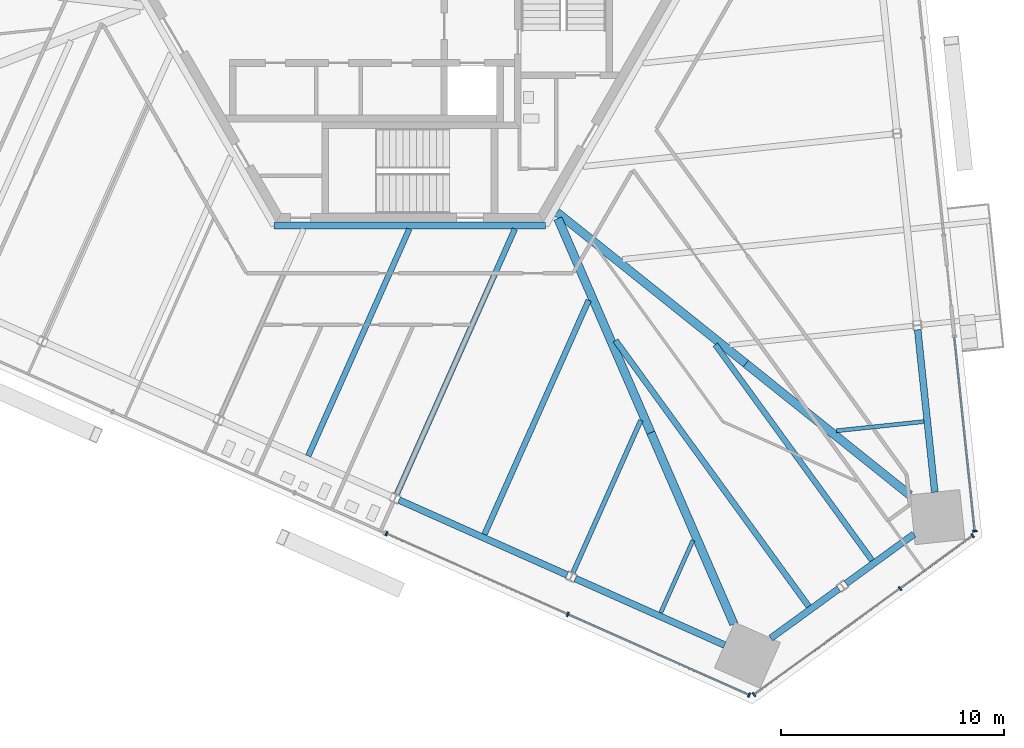
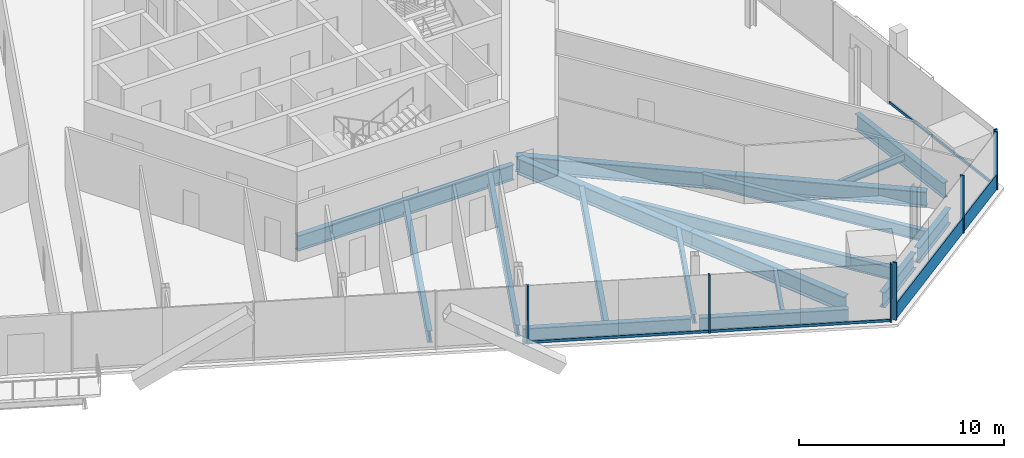
# One storey, part 5 of 19: 18 beams, 12 members, 3 elements without a shape of their own.
"""IFC4 building model written with IfcOpenShell, lengths in metres."""

from ifc_helpers import new_model, si_unit, direction, frame, origin, origin_2d, place, context, subcontext, project, spatial, rectangle, i_section, extrude, source, transform, mapped, material, material_profile, profile_set, type_object, element, aggregate, save


model = new_model("IFC4")

# Units and contexts
model_context = context("Model", 3, precision=1e-05, world=origin(), true_north=direction((0.0, 1.0)))
body_context = subcontext(model_context, "Body", "Model", "MODEL_VIEW")
ifc_project = project(units=[si_unit("LENGTHUNIT", "METRE"), si_unit("AREAUNIT", "SQUARE_METRE"), si_unit("VOLUMEUNIT", "CUBIC_METRE"), si_unit("PLANEANGLEUNIT", "RADIAN"), si_unit("MASSUNIT", "GRAM", prefix="KILO")], contexts=[model_context])

# Site, building, storey
site_placement = place(None, origin())
site = spatial("IfcSite", under=ifc_project, at=site_placement, CompositionType="ELEMENT")
building_placement = place(site_placement, origin())
building = spatial("IfcBuilding", under=site, at=building_placement, Name="Triune Harvest Tower", CompositionType="ELEMENT")
storey_placement = place(building_placement, frame((0.0, 0.0, 69.300048828125)))
storey = spatial("IfcBuildingStorey", under=building, at=storey_placement, Name="L16", CompositionType="ELEMENT", Elevation=69.300048828125)

# Curtain wall, member
ifc_material_1 = material(Name="Aluminium bronze anodised", Category="aluminium")
curtain_wall_type_1 = type_object("IfcCurtainWallType", Name="CW-6 Balcony window wall", PredefinedType="NOTDEFINED", material=ifc_material_1)
curtain_wall_1_placement = place(storey_placement, origin())
curtain_wall_1 = element("IfcCurtainWall", 1, at=curtain_wall_1_placement, inside=storey, type_object=curtain_wall_type_1, Name="CW-6 B2-F5 L16 run 1002")
ifc_material_2 = material(Name="Aluminium bronze anodised", Category="aluminium")
ifc_material_profile_1 = material_profile(ifc_material_2, rectangle(XDim=0.090087890625, YDim=0.14990234375, at=origin_2d()), Name="TR-6 transom 90 x 150")
ifc_profile_set_1 = profile_set([ifc_material_profile_1], Name="Aluminium bronze anodised")
member_type_1 = type_object("IfcMemberType", Name="TR-6 transom 90 x 150", PredefinedType="USERDEFINED", material=ifc_profile_set_1)
member_1_placement = place(storey_placement, frame((-1.013671875, -24.39453125, 0.074951171875), z_axis=(0.913550522926, -0.406725266073, 0.0), x_axis=(0.406725266073, 0.913550522926, 0.0)))
member_1 = element("IfcMember", 2, at=member_1_placement, type_object=member_type_1, Name="CW-6 transom B2-F5 1002.1", ObjectType="TRANSOM", PredefinedType="USERDEFINED", context=body_context, shape_type="SweptSolid", body=[
    extrude(rectangle(XDim=0.090087890625, YDim=0.14990234375, at=origin_2d()), origin(), (0.0, 0.0, 1.0), 8.8388671875),
])

# Beams
ifc_material_3 = material(Name="Steel ASTM A992 Gr 50", Category="steel")
ifc_material_profile_2 = material_profile(ifc_material_3, i_section(OverallWidth=0.3046875, OverallDepth=0.914306640625, WebThickness=0.0166015625, FlangeThickness=0.02587890625, at=origin_2d()), Name="W36x160")
ifc_profile_set_2 = profile_set([ifc_material_profile_2], Name="Steel ASTM A992 Gr 50")
beam_type_1 = type_object("IfcBeamType", Name="CG-1 Core ring girder W36x160", PredefinedType="BEAM", material=ifc_profile_set_2)
shared_shape_1 = source(origin(), body_context, "Body", "SweptSolid", [
    extrude(i_section(OverallWidth=0.3046875, OverallDepth=0.914306640625, WebThickness=0.0166015625, FlangeThickness=0.02587890625, at=origin_2d()), origin(), (0.0, 0.0, 1.0), 12.17578125),
])
beam_1_placement = place(storey_placement, frame((-6.087890625, -10.544677734375, -0.6171875), z_axis=(1.0, 0.0, 0.0), x_axis=(0.0, 1.0, 0.0)))
element("IfcBeam", 3, at=beam_1_placement, inside=storey, type_object=beam_type_1, Name="beam/L16/CG5", PredefinedType="BEAM", context=body_context, shape_type="MappedRepresentation", body=[
    mapped(shared_shape_1, transform((0.0, 0.0, 0.0), scale=1.0)),
])
ifc_material_4 = material(Name="Steel ASTM A992 Gr 50", Category="steel")
ifc_material_profile_3 = material_profile(ifc_material_4, i_section(OverallWidth=0.383544921875, OverallDepth=0.9423828125, WebThickness=0.022216796875, FlangeThickness=0.039794921875, at=origin_2d()), Name="W36x232")
ifc_profile_set_3 = profile_set([ifc_material_profile_3], Name="Steel ASTM A992 Gr 50")
beam_type_2 = type_object("IfcBeamType", Name="HG-1 Hip girder W36x232", PredefinedType="BEAM", material=ifc_profile_set_3)
shared_shape_2 = source(origin(), body_context, "Body", "SweptSolid", [
    extrude(i_section(OverallWidth=0.383544921875, OverallDepth=0.9423828125, WebThickness=0.022216796875, FlangeThickness=0.039794921875, at=origin_2d()), origin(), (0.0, 0.0, 1.0), 10.8701171875),
])
beam_2_placement = place(storey_placement, frame((15.0908203125, -16.745849609375, -0.63134765625), z_axis=(-0.780344837212, 0.625349450337, 0.0), x_axis=(-0.625349450337, -0.780344837212, 0.0)))
element("IfcBeam", 4, at=beam_2_placement, inside=storey, type_object=beam_type_2, Name="beam/L16/HG2", PredefinedType="BEAM", context=body_context, shape_type="MappedRepresentation", body=[
    mapped(shared_shape_2, transform((0.0, 0.0, 0.0), scale=1.0)),
])
shared_shape_3 = source(origin(), body_context, "Body", "SweptSolid", [
    extrude(i_section(OverallWidth=0.383544921875, OverallDepth=0.9423828125, WebThickness=0.022216796875, FlangeThickness=0.039794921875, at=origin_2d()), origin(), (0.0, 0.0, 1.0), 10.48291015625),
])
beam_3_placement = place(storey_placement, frame((10.824462890625, -19.84521484375, -0.63134765625), z_axis=(-0.39806686292, 0.917356404374, 0.0), x_axis=(-0.917356404374, -0.39806686292, 0.0)))
element("IfcBeam", 5, at=beam_3_placement, inside=storey, type_object=beam_type_2, Name="beam/L16/HG8", PredefinedType="BEAM", context=body_context, shape_type="MappedRepresentation", body=[
    mapped(shared_shape_3, transform((0.0, 0.0, 0.0), scale=1.0)),
])
ifc_material_5 = material(Name="Steel ASTM A992 Gr 50", Category="steel")
ifc_material_profile_4 = material_profile(ifc_material_5, i_section(OverallWidth=0.3046875, OverallDepth=0.914306640625, WebThickness=0.0166015625, FlangeThickness=0.02587890625, at=origin_2d()), Name="W36x160")
ifc_profile_set_4 = profile_set([ifc_material_profile_4], Name="Steel ASTM A992 Gr 50")
beam_type_3 = type_object("IfcBeamType", Name="SB-1 Spandrel beam W36x160", PredefinedType="SPANDREL", material=ifc_profile_set_4)
shared_shape_4 = source(origin(), body_context, "Body", "SweptSolid", [
    extrude(i_section(OverallWidth=0.3046875, OverallDepth=0.914306640625, WebThickness=0.0166015625, FlangeThickness=0.02587890625, at=origin_2d()), origin(), (0.0, 0.0, 1.0), 7.337890625),
])
for number, where, z_axis, x_axis, name in (
    (6, (23.57568359375, -22.520751953125, -0.6171875), (-0.104539300002, 0.994520756322, 0.0), (-0.994520756322, -0.104539300002, 0.0), "beam/L16/SB1"),
    (7, (7.4296875, -26.396484375, -0.6171875), (0.913546560881, -0.406734165153, 0.0), (0.406734165153, 0.913546560881, 0.0), "beam/L16/SB22"),
):
    element("IfcBeam", number, at=place(storey_placement, frame(where, z_axis=z_axis, x_axis=x_axis)), inside=storey, type_object=beam_type_3, Name=name, PredefinedType="SPANDREL", context=body_context, shape_type="MappedRepresentation", body=[
        mapped(shared_shape_4, transform((0.0, 0.0, 0.0), scale=1.0)),
    ])
shared_shape_5 = source(origin(), body_context, "Body", "SweptSolid", [
    extrude(i_section(OverallWidth=0.3046875, OverallDepth=0.914306640625, WebThickness=0.0166015625, FlangeThickness=0.02587890625, at=origin_2d()), origin(), (0.0, 0.0, 1.0), 8.263427734375),
])
beam_4_placement = place(storey_placement, frame((-0.483642578125, -22.873291015625, -0.6171875), z_axis=(0.913544537455, -0.406738709846, 0.0), x_axis=(0.406738709846, 0.913544537455, 0.0)))
element("IfcBeam", 8, at=beam_4_placement, inside=storey, type_object=beam_type_3, Name="beam/L16/SB21", PredefinedType="SPANDREL", context=body_context, shape_type="MappedRepresentation", body=[
    mapped(shared_shape_5, transform((0.0, 0.0, 0.0), scale=1.0)),
])
shared_shape_6 = source(origin(), body_context, "Body", "SweptSolid", [
    extrude(i_section(OverallWidth=0.3046875, OverallDepth=0.914306640625, WebThickness=0.0166015625, FlangeThickness=0.02587890625, at=origin_2d()), origin(), (0.0, 0.0, 1.0), 3.77490234375),
])
for number, where, z_axis, x_axis, name in (
    (9, (16.2119140625, -29.0751953125, -0.6171875), (0.809026850732, 0.587771685942, 0.0), (-0.587771685942, 0.809026850732, 0.0), "beam/L16/SB23"),
    (10, (19.58837890625, -26.6220703125, -0.6171875), (0.809026850732, 0.587771685942, 0.0), (-0.587771685942, 0.809026850732, 0.0), "beam/L16/SB24"),
):
    element("IfcBeam", number, at=place(storey_placement, frame(where, z_axis=z_axis, x_axis=x_axis)), inside=storey, type_object=beam_type_3, Name=name, PredefinedType="SPANDREL", context=body_context, shape_type="MappedRepresentation", body=[
        mapped(shared_shape_6, transform((0.0, 0.0, 0.0), scale=1.0)),
    ])
shared_shape_7 = source(origin(), body_context, "Body", "SweptSolid", [
    extrude(i_section(OverallWidth=0.383544921875, OverallDepth=0.9423828125, WebThickness=0.022216796875, FlangeThickness=0.039794921875, at=origin_2d()), origin(), (0.0, 0.0, 1.0), 9.44091796875),
])
beam_5_placement = place(storey_placement, frame((22.4580078125, -22.649658203125, -0.63134765625), z_axis=(-0.780348817967, 0.625344482903, 0.0), x_axis=(-0.625344482903, -0.780348817967, 0.0)))
element("IfcBeam", 11, at=beam_5_placement, inside=storey, type_object=beam_type_2, Name="beam/L16/HG1", PredefinedType="BEAM", context=body_context, shape_type="MappedRepresentation", body=[
    mapped(shared_shape_7, transform((0.0, 0.0, 0.0), scale=1.0)),
])
shared_shape_8 = source(origin(), body_context, "Body", "SweptSolid", [
    extrude(i_section(OverallWidth=0.383544921875, OverallDepth=0.9423828125, WebThickness=0.022216796875, FlangeThickness=0.039794921875, at=origin_2d()), origin(), (0.0, 0.0, 1.0), 9.366943359375),
])
beam_6_placement = place(storey_placement, frame((14.552978515625, -28.43798828125, -0.63134765625), z_axis=(-0.398055044024, 0.917361532836, 0.0), x_axis=(-0.917361532836, -0.398055044024, 0.0)))
element("IfcBeam", 12, at=beam_6_placement, inside=storey, type_object=beam_type_2, Name="beam/L16/HG7", PredefinedType="BEAM", context=body_context, shape_type="MappedRepresentation", body=[
    mapped(shared_shape_8, transform((0.0, 0.0, 0.0), scale=1.0)),
])
ifc_material_6 = material(Name="Steel ASTM A992 Gr 50", Category="steel")
ifc_material_profile_5 = material_profile(ifc_material_6, i_section(OverallWidth=0.180908203125, OverallDepth=0.41650390625, WebThickness=0.010986328125, FlangeThickness=0.01806640625, at=origin_2d()), Name="W16x57")
ifc_profile_set_5 = profile_set([ifc_material_profile_5], Name="Steel ASTM A992 Gr 50")
beam_type_4 = type_object("IfcBeamType", Name="JT-1 Floor joist W16x57", PredefinedType="JOIST", material=ifc_profile_set_5)
shared_shape_9 = source(origin(), body_context, "Body", "SweptSolid", [
    extrude(i_section(OverallWidth=0.180908203125, OverallDepth=0.41650390625, WebThickness=0.010986328125, FlangeThickness=0.01806640625, at=origin_2d()), origin(), (0.0, 0.0, 1.0), 3.95068359375),
])
beam_7_placement = place(storey_placement, frame((23.089111328125, -19.34814453125, -0.368408203125), z_axis=(-0.994524737495, -0.104501418698, 0.0), x_axis=(0.104501418698, -0.994524737495, 0.0)))
element("IfcBeam", 13, at=beam_7_placement, inside=storey, type_object=beam_type_4, Name="beam/L16/JT1", PredefinedType="JOIST", context=body_context, shape_type="MappedRepresentation", body=[
    mapped(shared_shape_9, transform((0.0, 0.0, 0.0), scale=1.0)),
])
ifc_material_7 = material(Name="Steel ASTM A992 Gr 50", Category="steel")
ifc_material_profile_6 = material_profile(ifc_material_7, i_section(OverallWidth=0.253662109375, OverallDepth=0.683349609375, WebThickness=0.012451171875, FlangeThickness=0.01904296875, at=origin_2d()), Name="W27x94")
ifc_profile_set_6 = profile_set([ifc_material_profile_6], Name="Steel ASTM A992 Gr 50")
beam_type_5 = type_object("IfcBeamType", Name="JT-4 Floor joist W27x94", PredefinedType="JOIST", material=ifc_profile_set_6)
shared_shape_10 = source(origin(), body_context, "Body", "SweptSolid", [
    extrude(i_section(OverallWidth=0.253662109375, OverallDepth=0.683349609375, WebThickness=0.012451171875, FlangeThickness=0.01904296875, at=origin_2d()), origin(), (0.0, 0.0, 1.0), 11.51123046875),
])
beam_8_placement = place(storey_placement, frame((3.352783203125, -24.414794921875, -0.501708984375), z_axis=(0.406740530162, 0.91354372699, 0.0), x_axis=(-0.91354372699, 0.406740530162, 0.0)))
element("IfcBeam", 14, at=beam_8_placement, inside=storey, type_object=beam_type_5, Name="beam/L16/JT35", PredefinedType="JOIST", context=body_context, shape_type="MappedRepresentation", body=[
    mapped(shared_shape_10, transform((0.0, 0.0, 0.0), scale=1.0)),
])
shared_shape_11 = source(origin(), body_context, "Body", "SweptSolid", [
    extrude(i_section(OverallWidth=0.180908203125, OverallDepth=0.41650390625, WebThickness=0.010986328125, FlangeThickness=0.01806640625, at=origin_2d()), origin(), (0.0, 0.0, 1.0), 3.562255859375),
])
beam_9_placement = place(storey_placement, frame((11.26611328125, -27.93798828125, -0.368408203125), z_axis=(0.406767922158, 0.913531530656, 0.0), x_axis=(-0.913531530656, 0.406767922158, 0.0)))
element("IfcBeam", 15, at=beam_9_placement, inside=storey, type_object=beam_type_4, Name="beam/L16/JT37", PredefinedType="JOIST", context=body_context, shape_type="MappedRepresentation", body=[
    mapped(shared_shape_11, transform((0.0, 0.0, 0.0), scale=1.0)),
])
ifc_material_8 = material(Name="Steel ASTM A992 Gr 50", Category="steel")
ifc_material_profile_7 = material_profile(ifc_material_8, i_section(OverallWidth=0.2666015625, OverallDepth=0.7568359375, WebThickness=0.013916015625, FlangeThickness=0.019287109375, at=origin_2d()), Name="W30x108")
ifc_profile_set_7 = profile_set([ifc_material_profile_7], Name="Steel ASTM A992 Gr 50")
beam_type_6 = type_object("IfcBeamType", Name="JT-5 Floor joist W30x108", PredefinedType="JOIST", material=ifc_profile_set_7)
shared_shape_12 = source(origin(), body_context, "Body", "SweptSolid", [
    extrude(i_section(OverallWidth=0.2666015625, OverallDepth=0.7568359375, WebThickness=0.013916015625, FlangeThickness=0.019287109375, at=origin_2d()), origin(), (0.0, 0.0, 1.0), 14.766357421875),
])
beam_10_placement = place(storey_placement, frame((17.915283203125, -27.649169921875, -0.53857421875), z_axis=(-0.587783315485, 0.809018401544, 0.0), x_axis=(-0.809018401544, -0.587783315485, 0.0)))
element("IfcBeam", 16, at=beam_10_placement, inside=storey, type_object=beam_type_6, Name="beam/L16/JT38", PredefinedType="JOIST", context=body_context, shape_type="MappedRepresentation", body=[
    mapped(shared_shape_12, transform((0.0, 0.0, 0.0), scale=1.0)),
])
ifc_material_9 = material(Name="Steel ASTM A992 Gr 50", Category="steel")
ifc_material_profile_8 = material_profile(ifc_material_9, i_section(OverallWidth=0.2099609375, OverallDepth=0.535888671875, WebThickness=0.010986328125, FlangeThickness=0.017333984375, at=origin_2d()), Name="W21x68")
ifc_profile_set_8 = profile_set([ifc_material_profile_8], Name="Steel ASTM A992 Gr 50")
beam_type_7 = type_object("IfcBeamType", Name="JT-2 Floor joist W21x68", PredefinedType="JOIST", material=ifc_profile_set_8)
shared_shape_13 = source(origin(), body_context, "Body", "SweptSolid", [
    extrude(i_section(OverallWidth=0.2099609375, OverallDepth=0.535888671875, WebThickness=0.010986328125, FlangeThickness=0.017333984375, at=origin_2d()), origin(), (0.0, 0.0, 1.0), 7.4921875),
])
beam_11_placement = place(storey_placement, frame((7.32763671875, -26.1357421875, -0.427978515625), z_axis=(0.406737018568, 0.913545290463, 0.0), x_axis=(-0.913545290463, 0.406737018568, 0.0)))
element("IfcBeam", 17, at=beam_11_placement, inside=storey, type_object=beam_type_7, Name="beam/L16/JT36", PredefinedType="JOIST", context=body_context, shape_type="MappedRepresentation", body=[
    mapped(shared_shape_13, transform((0.0, 0.0, 0.0), scale=1.0)),
])
shared_shape_14 = source(origin(), body_context, "Body", "SweptSolid", [
    extrude(i_section(OverallWidth=0.253662109375, OverallDepth=0.683349609375, WebThickness=0.012451171875, FlangeThickness=0.01904296875, at=origin_2d()), origin(), (0.0, 0.0, 1.0), 11.159423828125),
])
beam_12_placement = place(storey_placement, frame((-4.560546875, -20.8916015625, -0.501708984375), z_axis=(0.406747338499, 0.913540695659, 0.0), x_axis=(-0.913540695659, 0.406747338499, 0.0)))
element("IfcBeam", 18, at=beam_12_placement, inside=storey, type_object=beam_type_5, Name="beam/L16/JT33", PredefinedType="JOIST", context=body_context, shape_type="MappedRepresentation", body=[
    mapped(shared_shape_14, transform((0.0, 0.0, 0.0), scale=1.0)),
])
shared_shape_15 = source(origin(), body_context, "Body", "SweptSolid", [
    extrude(i_section(OverallWidth=0.253662109375, OverallDepth=0.683349609375, WebThickness=0.012451171875, FlangeThickness=0.01904296875, at=origin_2d()), origin(), (0.0, 0.0, 1.0), 13.043212890625),
])
beam_13_placement = place(storey_placement, frame((-0.585693359375, -22.612548828125, -0.501708984375), z_axis=(0.40673927971, 0.913544283733, 0.0), x_axis=(-0.913544283733, 0.40673927971, 0.0)))
element("IfcBeam", 19, at=beam_13_placement, inside=storey, type_object=beam_type_5, Name="beam/L16/JT34", PredefinedType="JOIST", context=body_context, shape_type="MappedRepresentation", body=[
    mapped(shared_shape_15, transform((0.0, 0.0, 0.0), scale=1.0)),
])
shared_shape_16 = source(origin(), body_context, "Body", "SweptSolid", [
    extrude(i_section(OverallWidth=0.253662109375, OverallDepth=0.683349609375, WebThickness=0.012451171875, FlangeThickness=0.01904296875, at=origin_2d()), origin(), (0.0, 0.0, 1.0), 11.97802734375),
])
beam_14_placement = place(storey_placement, frame((20.759521484375, -25.582763671875, -0.501708984375), z_axis=(-0.587786239195, 0.809016277347, 0.0), x_axis=(-0.809016277347, -0.587786239195, 0.0)))
element("IfcBeam", 20, at=beam_14_placement, inside=storey, type_object=beam_type_5, Name="beam/L16/JT39", PredefinedType="JOIST", context=body_context, shape_type="MappedRepresentation", body=[
    mapped(shared_shape_16, transform((0.0, 0.0, 0.0), scale=1.0)),
])

# Curtain wall, members
ifc_material_10 = material(Name="Aluminium bronze anodised", Category="aluminium")
curtain_wall_type_2 = type_object("IfcCurtainWallType", Name="CW-1 Tower stick curtain wall", PredefinedType="NOTDEFINED", material=ifc_material_10)
curtain_wall_2_placement = place(storey_placement, origin())
curtain_wall_2 = element("IfcCurtainWall", 21, at=curtain_wall_2_placement, inside=storey, type_object=curtain_wall_type_2, Name="CW-1 B2-F6 L16 run 1")
ifc_material_11 = material(Name="Aluminium bronze anodised", Category="aluminium")
ifc_material_profile_9 = material_profile(ifc_material_11, rectangle(XDim=0.199951171875, YDim=0.074951171875, at=origin_2d()), Name="MU-1 mullion 75 x 200")
ifc_profile_set_9 = profile_set([ifc_material_profile_9], Name="Aluminium bronze anodised")
member_type_2 = type_object("IfcMemberType", Name="MU-1 mullion 75 x 200", PredefinedType="MULLION", material=ifc_profile_set_9)
shared_shape_17 = source(origin(), body_context, "Body", "SweptSolid", [
    extrude(rectangle(XDim=0.199951171875, YDim=0.074951171875, at=origin_2d()), origin(), (0.0, 0.0, 1.0), 3.43994140625),
])
member_2_placement = place(storey_placement, frame((15.457763671875, -31.607177734375, 0.0), z_axis=(0.0, 0.0, 1.0), x_axis=(-0.58779042564, 0.809013235692, 0.0)))
member_2 = element("IfcMember", 22, at=member_2_placement, type_object=member_type_2, Name="CW-1 mullion B2-F6 1.1", PredefinedType="MULLION", context=body_context, shape_type="MappedRepresentation", body=[
    mapped(shared_shape_17, transform((0.0, 0.0, 0.0), scale=1.0)),
])
member_3_placement = place(storey_placement, frame((22.018310546875, -26.8408203125, 0.0), z_axis=(0.0, 0.0, 1.0), x_axis=(-0.58779042564, 0.809013235692, 0.0)))
member_3 = element("IfcMember", 23, at=member_3_placement, type_object=member_type_2, Name="CW-1 mullion B2-F6 1.3", PredefinedType="MULLION", context=body_context, shape_type="MappedRepresentation", body=[
    mapped(shared_shape_17, transform((0.0, 0.0, 0.0), scale=1.0)),
])
member_4_placement = place(storey_placement, frame((25.283447265625, -24.468505859375, 0.0), z_axis=(0.0, 0.0, 1.0), x_axis=(-0.58779042564, 0.809013235692, 0.0)))
member_4 = element("IfcMember", 24, at=member_4_placement, type_object=member_type_2, Name="CW-1 mullion B2-F6 1.4", PredefinedType="MULLION", context=body_context, shape_type="MappedRepresentation", body=[
    mapped(shared_shape_17, transform((0.0, 0.0, 0.0), scale=1.0)),
])
ifc_material_12 = material(Name="Aluminium bronze anodised", Category="aluminium")
ifc_material_profile_10 = material_profile(ifc_material_12, rectangle(XDim=0.090087890625, YDim=0.89990234375, at=origin_2d()), Name="TR-1 transom 90 x 900")
ifc_profile_set_10 = profile_set([ifc_material_profile_10], Name="Aluminium bronze anodised")
member_type_3 = type_object("IfcMemberType", Name="TR-1 transom 90 x 900", PredefinedType="USERDEFINED", material=ifc_profile_set_10)
shared_shape_18 = source(origin(), body_context, "Body", "SweptSolid", [
    extrude(rectangle(XDim=0.090087890625, YDim=0.89990234375, at=origin_2d()), origin(), (0.0, 0.0, 1.0), 8.0341796875),
])
member_5_placement = place(storey_placement, frame((15.48828125, -31.585205078125, 0.449951171875), z_axis=(0.809013262196, 0.587790389162, 0.0), x_axis=(-0.587790389162, 0.809013262196, 0.0)))
member_5 = element("IfcMember", 25, at=member_5_placement, type_object=member_type_3, Name="CW-1 transom B2-F6 1.1", ObjectType="TRANSOM", PredefinedType="USERDEFINED", context=body_context, shape_type="MappedRepresentation", body=[
    mapped(shared_shape_18, transform((0.0, 0.0, 0.0), scale=1.0)),
])
shared_shape_19 = source(origin(), body_context, "Body", "SweptSolid", [
    extrude(rectangle(XDim=0.090087890625, YDim=0.89990234375, at=origin_2d()), origin(), (0.0, 0.0, 1.0), 3.9609375),
])
member_6_placement = place(storey_placement, frame((22.048583984375, -26.818603515625, 0.449951171875), z_axis=(0.809034498415, 0.587761159294, 0.0), x_axis=(-0.587761159294, 0.809034498415, 0.0)))
member_6 = element("IfcMember", 26, at=member_6_placement, type_object=member_type_3, Name="CW-1 transom B2-F6 1.2", ObjectType="TRANSOM", PredefinedType="USERDEFINED", context=body_context, shape_type="MappedRepresentation", body=[
    mapped(shared_shape_19, transform((0.0, 0.0, 0.0), scale=1.0)),
])
aggregate(curtain_wall_2, [member_2, member_3, member_4, member_5, member_6])

# Curtain wall, member
curtain_wall_3_placement = place(storey_placement, origin())
curtain_wall_3 = element("IfcCurtainWall", 27, at=curtain_wall_3_placement, inside=storey, type_object=curtain_wall_type_1, Name="CW-6 B2-F1 L16 run 1")
ifc_material_13 = material(Name="Aluminium bronze anodised", Category="aluminium")
ifc_material_profile_11 = material_profile(ifc_material_13, rectangle(XDim=0.199951171875, YDim=0.074951171875, at=origin_2d()), Name="MU-6 mullion 75 x 200")
ifc_profile_set_11 = profile_set([ifc_material_profile_11], Name="Aluminium bronze anodised")
member_type_4 = type_object("IfcMemberType", Name="MU-6 mullion 75 x 200", PredefinedType="MULLION", material=ifc_profile_set_11)
shared_shape_20 = source(origin(), body_context, "Body", "SweptSolid", [
    extrude(rectangle(XDim=0.199951171875, YDim=0.074951171875, at=origin_2d()), origin(), (0.0, 0.0, 1.0), 3.43994140625),
])
member_7_placement = place(storey_placement, frame((25.373291015625, -24.2666015625, 0.0), z_axis=(0.0, 0.0, 1.0), x_axis=(-0.994521992769, -0.104527536558, 0.0)))
member_7 = element("IfcMember", 28, at=member_7_placement, type_object=member_type_4, Name="CW-6 mullion B2-F1 1.1", PredefinedType="MULLION", context=body_context, shape_type="MappedRepresentation", body=[
    mapped(shared_shape_20, transform((0.0, 0.0, 0.0), scale=1.0)),
])

# Member
member_8_placement = place(storey_placement, frame((-1.0478515625, -24.37939453125, 0.0), z_axis=(0.0, 0.0, 1.0), x_axis=(0.406735015394, 0.913546182332, 0.0)))
member_8 = element("IfcMember", 29, at=member_8_placement, type_object=member_type_4, Name="CW-6 mullion B2-F5 1002.1", PredefinedType="MULLION", context=body_context, shape_type="MappedRepresentation", body=[
    mapped(shared_shape_20, transform((0.0, 0.0, 0.0), scale=1.0)),
])

member_9_placement = place(storey_placement, frame((7.09521484375, -28.0048828125, 0.0), z_axis=(0.0, 0.0, 1.0), x_axis=(0.406735015394, 0.913546182332, 0.0)))
member_9 = element("IfcMember", 30, at=member_9_placement, type_object=member_type_4, Name="CW-6 mullion B2-F5 1002.3", PredefinedType="MULLION", context=body_context, shape_type="MappedRepresentation", body=[
    mapped(shared_shape_20, transform((0.0, 0.0, 0.0), scale=1.0)),
])

member_10_placement = place(storey_placement, frame((15.23828125, -31.63037109375, 0.0), z_axis=(0.0, 0.0, 1.0), x_axis=(0.406735015394, 0.913546182332, 0.0)))
member_10 = element("IfcMember", 31, at=member_10_placement, type_object=member_type_4, Name="CW-6 mullion B2-F5 1002.5", PredefinedType="MULLION", context=body_context, shape_type="MappedRepresentation", body=[
    mapped(shared_shape_20, transform((0.0, 0.0, 0.0), scale=1.0)),
])

shared_shape_21 = source(origin(), body_context, "Body", "SweptSolid", [
    extrude(rectangle(XDim=0.090087890625, YDim=0.14990234375, at=origin_2d()), origin(), (0.0, 0.0, 1.0), 8.731201171875),
])
member_11_placement = place(storey_placement, frame((25.369384765625, -24.2294921875, 0.074951171875), z_axis=(-0.104521761125, 0.994522599769, 0.0), x_axis=(-0.994522599769, -0.104521761125, 0.0)))
member_11 = element("IfcMember", 32, at=member_11_placement, type_object=member_type_1, Name="CW-6 transom B2-F1 1.1", ObjectType="TRANSOM", PredefinedType="USERDEFINED", context=body_context, shape_type="MappedRepresentation", body=[
    mapped(shared_shape_21, transform((0.0, 0.0, 0.0), scale=1.0)),
])

aggregate(curtain_wall_3, [member_7, member_11])

shared_shape_22 = source(origin(), body_context, "Body", "SweptSolid", [
    extrude(rectangle(XDim=0.090087890625, YDim=0.14990234375, at=origin_2d()), origin(), (0.0, 0.0, 1.0), 8.838623046875),
])
member_12_placement = place(storey_placement, frame((7.12939453125, -28.02001953125, 0.074951171875), z_axis=(0.913545953469, -0.40673552943, 0.0), x_axis=(0.40673552943, 0.913545953469, 0.0)))
member_12 = element("IfcMember", 33, at=member_12_placement, type_object=member_type_1, Name="CW-6 transom B2-F5 1002.2", ObjectType="TRANSOM", PredefinedType="USERDEFINED", context=body_context, shape_type="MappedRepresentation", body=[
    mapped(shared_shape_22, transform((0.0, 0.0, 0.0), scale=1.0)),
])

aggregate(curtain_wall_1, [member_8, member_9, member_10, member_1, member_12])

save(model, "model.ifc")
